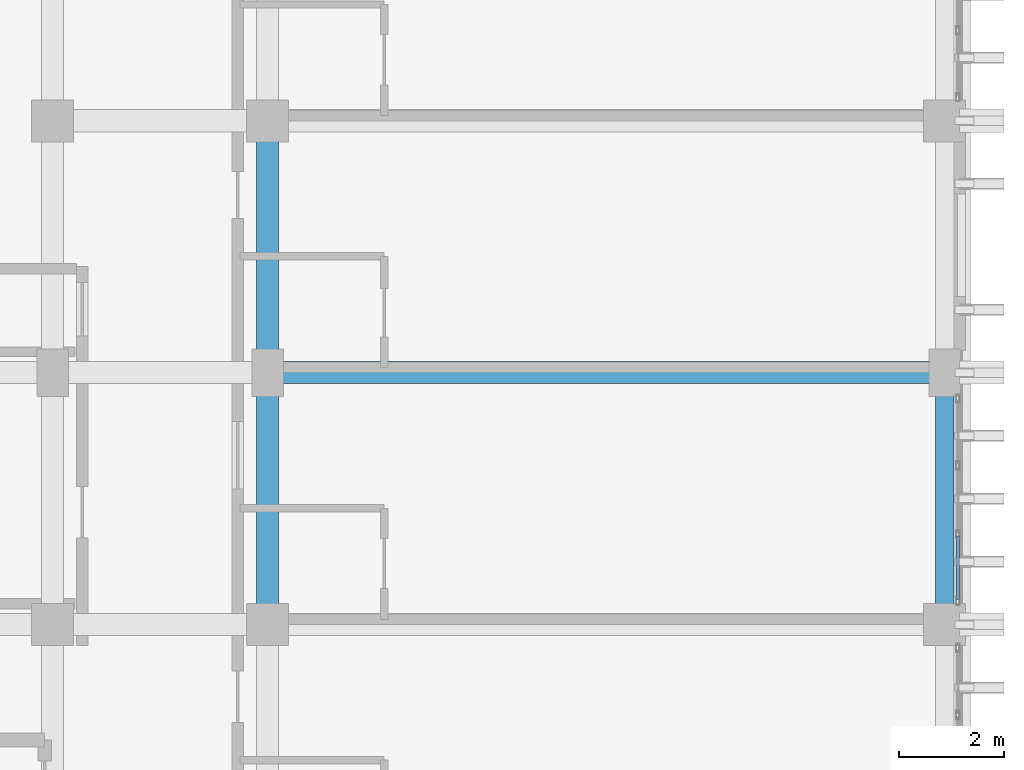
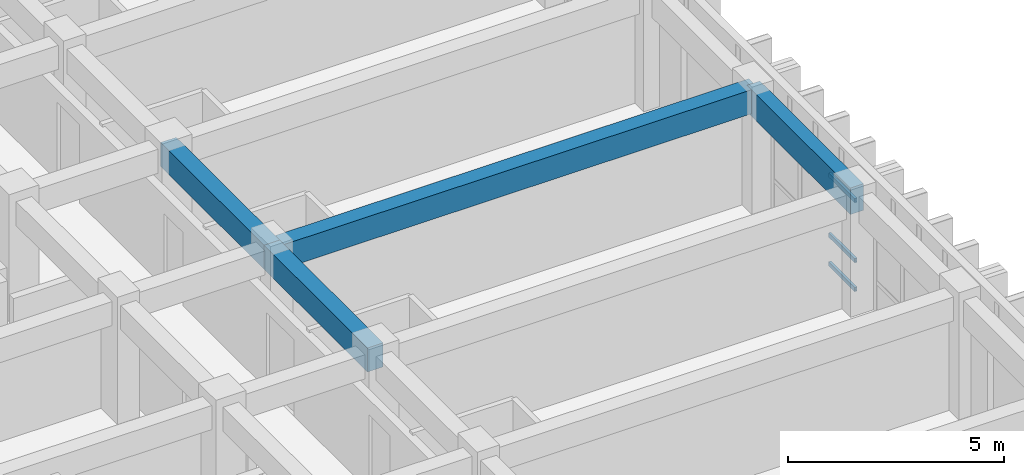
# One storey, part 42 of 82: 4 beams, 3 members, 1 element without a shape of its own.
"""IFC4 building model written with IfcOpenShell, lengths in metres."""

from ifc_helpers import new_model, si_unit, direction, frame, origin, origin_2d, place, context, subcontext, project, spatial, rectangle, hollow_rectangle, extrude, material, layer, layer_set, material_profile, profile_set, type_object, element, aggregate, save


model = new_model("IFC4")

# Units and contexts
model_context = context("Model", 3, precision=1e-05, world=origin(), true_north=direction((0.0, 1.0)))
body_context = subcontext(model_context, "Body", "Model", "MODEL_VIEW")
ifc_project = project(units=[si_unit("LENGTHUNIT", "METRE"), si_unit("AREAUNIT", "SQUARE_METRE"), si_unit("VOLUMEUNIT", "CUBIC_METRE"), si_unit("PLANEANGLEUNIT", "RADIAN"), si_unit("MASSUNIT", "GRAM", prefix="KILO")], contexts=[model_context])

# Site, building, storey
site_placement = place(None, origin())
site = spatial("IfcSite", under=ifc_project, at=site_placement, CompositionType="ELEMENT")
building_placement = place(site_placement, origin())
building = spatial("IfcBuilding", under=site, at=building_placement, Name="Nakhvara Creek Congress Hotel", CompositionType="ELEMENT")
storey_placement = place(building_placement, frame((0.0, 0.0, 21.0)))
storey = spatial("IfcBuildingStorey", under=building, at=storey_placement, Name="L04", CompositionType="ELEMENT", Elevation=21.0)

# Beams
ifc_material_1 = material(Name="Concrete C40/50", Category="concrete")
ifc_material_profile_1 = material_profile(ifc_material_1, rectangle(XDim=0.419921875, YDim=0.679931640625, at=origin_2d()), Name="RC-BM 420x680", Category="LoadBearing")
ifc_profile_set_1 = profile_set([ifc_material_profile_1], Name="Concrete C40/50")
beam_type_1 = type_object("IfcBeamType", Name="BM-RC-420X680", PredefinedType="BEAM", material=ifc_profile_set_1)
for number, where, z_axis, x_axis, name in (
    (1, (166.449951171875, 96.0, 3.0), (0.0, 1.0, 0.0), (-1.0, 0.0, 0.0), "Beam B11-L04-1998"),
    (2, (166.449951171875, 100.800048828125, 3.0), (0.0, 1.0, 0.0), (-1.0, 0.0, 0.0), "Beam B11-L04-2000"),
):
    element("IfcBeam", number, at=place(storey_placement, frame(where, z_axis=z_axis, x_axis=x_axis)), inside=storey, type_object=beam_type_1, Name=name, PredefinedType="BEAM", context=body_context, shape_type="SweptSolid", body=[
        extrude(rectangle(XDim=0.419921875, YDim=0.679931640625, at=origin_2d()), origin(), (0.0, 0.0, 1.0), 4.800048828125),
    ])
beam_1_placement = place(storey_placement, frame((166.449951171875, 100.800048828125, 3.0), z_axis=(1.0, 0.0, 0.0), x_axis=(0.0, 1.0, 0.0)))
element("IfcBeam", 3, at=beam_1_placement, inside=storey, type_object=beam_type_1, Name="Beam B11-L04-2055", PredefinedType="BEAM", context=body_context, shape_type="SweptSolid", body=[
    extrude(rectangle(XDim=0.419921875, YDim=0.679931640625, at=origin_2d()), origin(), (0.0, 0.0, 1.0), 12.900146484375),
])
ifc_material_profile_2 = material_profile(ifc_material_1, rectangle(XDim=0.35009765625, YDim=0.75, at=origin_2d()), Name="RC-SPANDREL 350x750", Category="LoadBearing")
ifc_profile_set_2 = profile_set([ifc_material_profile_2], Name="Concrete C40/50")
beam_type_2 = type_object("IfcBeamType", Name="BM-SPN-350X750", PredefinedType="SPANDREL", material=ifc_profile_set_2)
beam_2_placement = place(storey_placement, frame((179.35009765625, 96.0, 2.965087890625), z_axis=(0.0, 1.0, 0.0), x_axis=(-1.0, 0.0, 0.0)))
element("IfcBeam", 4, at=beam_2_placement, inside=storey, type_object=beam_type_2, Name="Beam SP1-L04-2023", PredefinedType="SPANDREL", context=body_context, shape_type="SweptSolid", body=[
    extrude(rectangle(XDim=0.35009765625, YDim=0.75, at=origin_2d()), origin(), (0.0, 0.0, 1.0), 4.800048828125),
])

# Curtain wall, members
ifc_material_2 = material(Name="Bronze-anodised aluminium AW-6063-T6 and double-silver low-E glass", Category="aluminium")
ifc_layer = layer(ifc_material_2, 0.199951171875)
ifc_layer_set = layer_set([ifc_layer], Name="Bronze-anodised aluminium AW-6063-T6 and double-silver low-E glass")
curtain_wall_type = type_object("IfcCurtainWallType", Name="CW-HTL-UNIT", PredefinedType="USERDEFINED", material=ifc_layer_set)
curtain_wall_placement = place(storey_placement, origin())
curtain_wall = element("IfcCurtainWall", 5, at=curtain_wall_placement, inside=storey, type_object=curtain_wall_type, Name="Curtain Wall CW194", ObjectType="UNITISED", PredefinedType="USERDEFINED")
ifc_material_3 = material(Name="Bronze-anodised aluminium AW-6063-T6", Category="aluminium")
ifc_material_profile_3 = material_profile(ifc_material_3, hollow_rectangle(XDim=0.06494140625, YDim=0.1201171875, WallThickness=0.00390625, at=origin_2d()), Name="ALU-TRAN 65x120x4", Category="LoadBearing")
ifc_profile_set_3 = profile_set([ifc_material_profile_3], Name="Bronze-anodised aluminium AW-6063-T6")
member_type = type_object("IfcMemberType", Name="CW-TRAN-120", PredefinedType="USERDEFINED", material=ifc_profile_set_3)
member_1_placement = place(storey_placement, frame((179.60009765625, 97.689208984375, 0.032470703125), z_axis=(0.0, -1.0, 0.0), x_axis=(1.0, 0.0, 0.0)))
member_1 = element("IfcMember", 6, at=member_1_placement, type_object=member_type, Name="CW194 transom 3.1", ObjectType="TRANSOM", PredefinedType="USERDEFINED", context=body_context, shape_type="SweptSolid", body=[
    extrude(hollow_rectangle(XDim=0.06494140625, YDim=0.1201171875, WallThickness=0.00390625, at=origin_2d()), origin(), (0.0, 0.0, 1.0), 1.209228515625),
])
member_2_placement = place(storey_placement, frame((179.60009765625, 97.689208984375, 0.85009765625), z_axis=(0.0, -1.0, 0.0), x_axis=(1.0, 0.0, 0.0)))
member_2 = element("IfcMember", 7, at=member_2_placement, type_object=member_type, Name="CW194 transom 3.2", ObjectType="TRANSOM", PredefinedType="USERDEFINED", context=body_context, shape_type="SweptSolid", body=[
    extrude(hollow_rectangle(XDim=0.06494140625, YDim=0.1201171875, WallThickness=0.00390625, at=origin_2d()), origin(), (0.0, 0.0, 1.0), 1.209228515625),
])
member_3_placement = place(storey_placement, frame((179.60009765625, 97.689208984375, 2.549560546875), z_axis=(0.0, -1.0, 0.0), x_axis=(1.0, 0.0, 0.0)))
member_3 = element("IfcMember", 8, at=member_3_placement, type_object=member_type, Name="CW194 transom 3.3", ObjectType="TRANSOM", PredefinedType="USERDEFINED", context=body_context, shape_type="SweptSolid", body=[
    extrude(hollow_rectangle(XDim=0.06494140625, YDim=0.1201171875, WallThickness=0.00390625, at=origin_2d()), origin(), (0.0, 0.0, 1.0), 1.209228515625),
])
aggregate(curtain_wall, [member_1, member_2, member_3])

save(model, "model.ifc")
